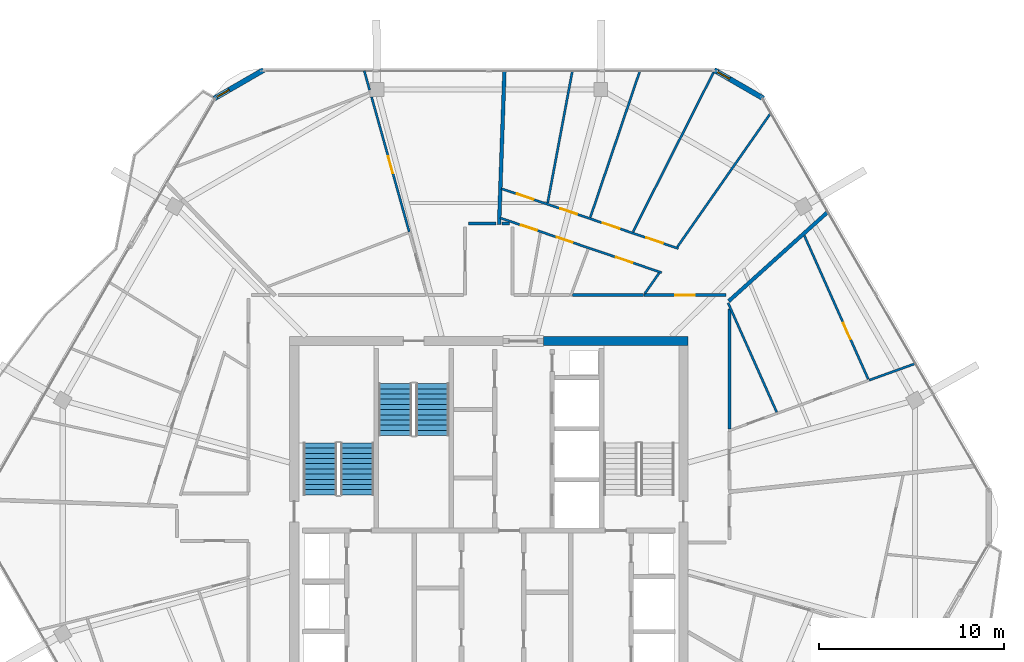
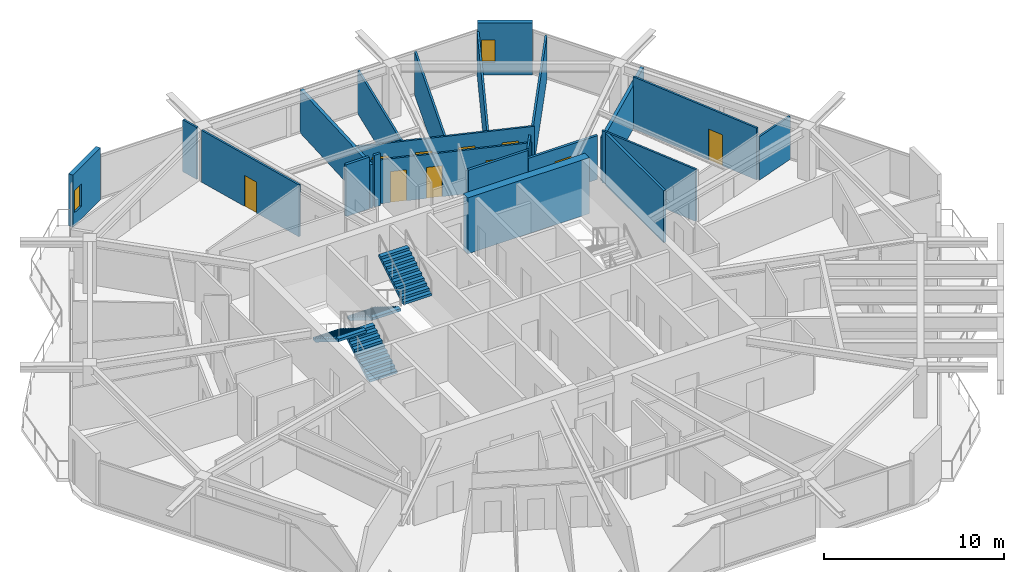
# One storey, part 19 of 23: 22 walls, 10 doors, 4 stair flights, 2 windows, 12 openings, 2 elements without a shape of their own.
"""IFC4 building model written with IfcOpenShell, lengths in metres."""

import ifcopenshell
import ifcopenshell.guid

model = None  # the IFC model being written
_history = None  # IfcOwnerHistory: only IFC2X3 demands one
_inside = {}  # id of a spatial element -> (the spatial element, [elements in it])
_under = {}  # id of a project, library or spatial element -> (it, [spatial elements below it])
_declared = {}  # id of a project -> (the project, [libraries it declares])
_typed = {}  # id of a type object -> (the type object, [elements of that type])
_made_of = {}  # id of a material, layer set ... -> (it, [elements and type objects made of it])


def new_model(schema):
    """Start an empty IFC model of exactly this schema.

    Asked for "IFC4X3", IfcOpenShell would pick the latest addendum, in which some entities
    have other attributes; the version numbers below select the first issue.
    IFC2X3 requires an IfcOwnerHistory on every rooted entity: one is made here for all.
    """
    global model, _history
    if schema == "IFC4X3":
        model = ifcopenshell.file(schema_version=(4, 3, 0, 0))
    else:
        model = ifcopenshell.file(schema=schema)
    _inside.clear()
    _under.clear()
    _declared.clear()
    _typed.clear()
    _made_of.clear()
    _history = None
    if model.schema == "IFC2X3":
        org = make("IfcOrganization", Name="unknown")
        user = make(
            "IfcPersonAndOrganization",
            ThePerson=make("IfcPerson", FamilyName="unknown"),
            TheOrganization=org,
        )
        app = make(
            "IfcApplication",
            ApplicationDeveloper=org,
            Version="unknown",
            ApplicationFullName="unknown",
            ApplicationIdentifier="unknown",
        )
        _history = make(
            "IfcOwnerHistory",
            OwningUser=user,
            OwningApplication=app,
            ChangeAction="ADDED",
            CreationDate=0,
        )
    return model


def make(cls, **values):
    """One entity of the class cls with the attributes given. An attribute that is None is left unset."""
    return model.create_entity(
        cls, **{name: value for name, value in values.items() if value is not None}
    )


def rooted(cls, **values):
    """An entity with a GlobalId (a new one), such as an element, a storey or a relation."""
    return make(cls, GlobalId=ifcopenshell.guid.new(), OwnerHistory=_history, **values)


def si_unit(unit_type, name, prefix=None):
    """IfcSIUnit, for example si_unit("LENGTHUNIT", "METRE", prefix="MILLI")."""
    return make("IfcSIUnit", UnitType=unit_type, Prefix=prefix, Name=name)


def assignment(units):
    """IfcUnitAssignment: the units of a project."""
    return None if units is None else make("IfcUnitAssignment", Units=units)


def point(xyz):
    """IfcCartesianPoint."""
    return None if xyz is None else make("IfcCartesianPoint", Coordinates=xyz)


def direction(xyz):
    """IfcDirection."""
    return None if xyz is None else make("IfcDirection", DirectionRatios=xyz)


def frame(location, z_axis=None, x_axis=None):
    """IfcAxis2Placement3D, a coordinate frame: its origin and axes. An axis left out is left unset."""
    return make(
        "IfcAxis2Placement3D",
        Location=point(location),
        Axis=direction(z_axis),
        RefDirection=direction(x_axis),
    )


def frame_2d(location, x_axis=None):
    """IfcAxis2Placement2D, a coordinate frame in the plane: its origin and x axis."""
    return make(
        "IfcAxis2Placement2D", Location=point(location), RefDirection=direction(x_axis)
    )


def origin():
    """The frame at (0, 0, 0) with its axes left unset."""
    return frame((0.0, 0.0, 0.0))


def place(relative_to, where):
    """IfcLocalPlacement: puts the frame where relative to a parent placement (None: the world)."""
    return make(
        "IfcLocalPlacement", PlacementRelTo=relative_to, RelativePlacement=where
    )


def context(
    kind, dimensions, precision=None, world=None, true_north=None, identifier=None
):
    """IfcGeometricRepresentationContext, for example the 3D "Model" context."""
    return make(
        "IfcGeometricRepresentationContext",
        ContextIdentifier=identifier,
        ContextType=kind,
        CoordinateSpaceDimension=dimensions,
        Precision=precision,
        WorldCoordinateSystem=world,
        TrueNorth=true_north,
    )


def subcontext(parent, identifier, kind, view, scale=None):
    """IfcGeometricRepresentationSubContext, for example "Body" below "Model"."""
    return make(
        "IfcGeometricRepresentationSubContext",
        ContextIdentifier=identifier,
        ContextType=kind,
        ParentContext=parent,
        TargetScale=scale,
        TargetView=view,
    )


def project(units=None, contexts=None):
    """IfcProject with its units and contexts."""
    return rooted(
        "IfcProject",
        Name="project",
        RepresentationContexts=contexts,
        UnitsInContext=assignment(units),
    )


def spatial(cls, under=None, at=None, **own):
    """A site, building, storey or space (cls), placed at a placement, below another one or the project."""
    s = rooted(cls, ObjectPlacement=at, **own)
    if under is not None:
        _under.setdefault(under.id(), (under, []))[1].append(s)
    return s


def polyline(points):
    """IfcPolyline through the points."""
    return make("IfcPolyline", Points=[point(p) for p in points])


def profile(cls, at=None, kind="AREA", **sizes):
    """A parametric profile (cls). Its sizes go by their IFC names, for example OverallWidth=200.0."""
    return make(cls, ProfileType=kind, Position=at, **sizes)


def rectangle(**sizes):
    """IfcRectangleProfileDef."""
    return profile("IfcRectangleProfileDef", **sizes)


def outline(outer, holes=None, kind="AREA"):
    """IfcArbitraryClosedProfileDef: a profile drawn as a closed curve; with holes, ...WithVoids."""
    if holes is None:
        return make("IfcArbitraryClosedProfileDef", ProfileType=kind, OuterCurve=outer)
    return make(
        "IfcArbitraryProfileDefWithVoids",
        ProfileType=kind,
        OuterCurve=outer,
        InnerCurves=holes,
    )


def extrude(swept, where, along, depth):
    """IfcExtrudedAreaSolid: the profile swept, set in the frame where, extruded along a direction by depth."""
    return make(
        "IfcExtrudedAreaSolid",
        SweptArea=swept,
        Position=where,
        ExtrudedDirection=direction(along),
        Depth=depth,
    )


def shape(context_of_items, identifier, shape_type, items):
    """IfcShapeRepresentation: the items that make up one representation, for example the "Body"."""
    return make(
        "IfcShapeRepresentation",
        ContextOfItems=context_of_items,
        RepresentationIdentifier=identifier,
        RepresentationType=shape_type,
        Items=items,
    )


def material(Name=None, Category=None):
    """IfcMaterial."""
    return make("IfcMaterial", Name=Name, Category=Category)


def layer(
    of_material, thickness, ventilated=None, Name=None, Category=None, Priority=None
):
    """IfcMaterialLayer: one layer of a wall or slab, of a material (None: an air gap)."""
    return make(
        "IfcMaterialLayer",
        Material=of_material,
        LayerThickness=thickness,
        IsVentilated=ventilated,
        Name=Name,
        Category=Category,
        Priority=Priority,
    )


def layer_set(layers, Name=None):
    """IfcMaterialLayerSet."""
    return make("IfcMaterialLayerSet", MaterialLayers=layers, LayerSetName=Name)


def made_of(thing, what):
    """Note that an element or type object is made of a material, layer set ...; save() writes the relation."""
    if what is not None:
        _made_of.setdefault(what.id(), (what, []))[1].append(thing)
    return thing


def type_object(cls, material=None, **own):
    """A type object (cls), such as IfcWallType, which elements share."""
    return made_of(rooted(cls, **own), material)


def element(
    cls,
    number,
    at=None,
    inside=None,
    cuts=None,
    type_object=None,
    material=None,
    context=None,
    identifier="Body",
    shape_type=None,
    held_by="IfcProductDefinitionShape",
    body=None,
    shapes=None,
    **own,
):
    """One element of the class cls, such as IfcWall. Its Tag is "e" and its number.

    at: its placement. inside: the storey or other place that contains it. cuts: it is an
    opening in that element (IfcRelVoidsElement). A single representation is given by context,
    identifier, shape_type and body (its items); several are given by shapes. held_by: the class
    of the entity that holds the representations. save() writes the other relations.
    """
    e = rooted(cls, Tag="e%d" % number, ObjectPlacement=at, **own)
    if body is not None:
        shapes = [shape(context, identifier, shape_type, body)]
    if shapes is not None:
        e.Representation = make(held_by, Representations=shapes)
    if inside is not None:
        _inside.setdefault(inside.id(), (inside, []))[1].append(e)
    if cuts is not None:
        rooted(
            "IfcRelVoidsElement", RelatingBuildingElement=cuts, RelatedOpeningElement=e
        )
    if type_object is not None:
        _typed.setdefault(type_object.id(), (type_object, []))[1].append(e)
    return made_of(e, material)


def fill(opening, filler):
    """IfcRelFillsElement: the door or window that sits in an opening."""
    return rooted(
        "IfcRelFillsElement",
        RelatingOpeningElement=opening,
        RelatedBuildingElement=filler,
    )


def aggregate(whole, parts):
    """IfcRelAggregates: a whole, such as a stair, and the parts it consists of."""
    return rooted("IfcRelAggregates", RelatingObject=whole, RelatedObjects=parts)


def save(model, path):
    """Write the relations noted so far, then the file.

    IfcRelAggregates (storeys below a building ...), IfcRelContainedInSpatialStructure (elements
    in a storey), IfcRelDefinesByType, IfcRelAssociatesMaterial and IfcRelDeclares: one each for
    every whole, place, type object, material and project.
    """
    for whole, parts in _under.values():
        aggregate(whole, parts)
    for where, things in _inside.values():
        rooted(
            "IfcRelContainedInSpatialStructure",
            RelatedElements=things,
            RelatingStructure=where,
        )
    for kind, things in _typed.values():
        rooted("IfcRelDefinesByType", RelatedObjects=things, RelatingType=kind)
    for what, things in _made_of.values():
        rooted("IfcRelAssociatesMaterial", RelatedObjects=things, RelatingMaterial=what)
    for by, libraries in _declared.values():
        rooted("IfcRelDeclares", RelatingContext=by, RelatedDefinitions=libraries)
    model.write(path)


model = new_model("IFC4")

# Units and contexts
model_context = context("Model", 3, precision=1e-05, world=origin(), true_north=direction((0.0, 1.0)))
body_context = subcontext(model_context, "Body", "Model", "MODEL_VIEW")
ifc_project = project(units=[si_unit("LENGTHUNIT", "METRE"), si_unit("AREAUNIT", "SQUARE_METRE"), si_unit("VOLUMEUNIT", "CUBIC_METRE"), si_unit("PLANEANGLEUNIT", "RADIAN"), si_unit("MASSUNIT", "GRAM", prefix="KILO")], contexts=[model_context])

# Site, building, storey
site_placement = place(None, origin())
site = spatial("IfcSite", under=ifc_project, at=site_placement, CompositionType="ELEMENT")
building_placement = place(site_placement, origin())
building = spatial("IfcBuilding", under=site, at=building_placement, Name="Zuhravey Tower", CompositionType="ELEMENT")
storey_placement = place(building_placement, frame((0.0, 0.0, 350.0)))
storey = spatial("IfcBuildingStorey", under=building, at=storey_placement, Name="L89", CompositionType="ELEMENT", Elevation=350.0)

# Wall
ifc_material_1 = material(Name="Concrete C50/60", Category="concrete")
ifc_layer_1 = layer(ifc_material_1, 0.5)
ifc_layer_set_1 = layer_set([ifc_layer_1], Name="Concrete C50/60")
wall_type_1 = type_object("IfcWallType", Name="Core Shear Wall 500", PredefinedType="SHEAR", material=ifc_layer_set_1)
wall_1_placement = place(storey_placement, frame((46.75, 41.5, 0.0), z_axis=(0.0, 0.0, 1.0), x_axis=(-1.0, 0.0, 0.0)))
element("IfcWall", 1, at=wall_1_placement, inside=storey, type_object=wall_type_1, Name="L89 North-East Core Shear Wall CW50", PredefinedType="SHEAR", context=body_context, shape_type="SweptSolid", body=[
    extrude(rectangle(XDim=7.800048828125, YDim=0.5, at=frame_2d((3.89990234375, 0.0))), origin(), (0.0, 0.0, 1.0), 3.800048828125),
])

# Wall, opening, door
ifc_material_2 = material(Name="Gypsum fire-rated stud partition")
ifc_layer_2 = layer(ifc_material_2, 0.159912109375)
ifc_layer_set_2 = layer_set([ifc_layer_2], Name="Gypsum fire-rated stud partition")
wall_type_2 = type_object("IfcWallType", Name="Corridor Fire Partition 160", PredefinedType="PARTITIONING", material=ifc_layer_set_2)
wall_2_placement = place(storey_placement, frame((48.79931640625, 43.97998046875, 0.0), z_axis=(0.0, 0.0, 1.0), x_axis=(-1.0, 0.0, 0.0)))
wall_2 = element("IfcWall", 2, at=wall_2_placement, inside=storey, type_object=wall_type_2, Name="L89 IW16 Partition 022", PredefinedType="PARTITIONING", context=body_context, shape_type="SweptSolid", body=[
    extrude(rectangle(XDim=4.417724609375, YDim=0.159912109375, at=frame_2d((2.208984375, 0.0))), origin(), (0.0, 0.0, 1.0), 2.969970703125),
])
opening_1_placement = place(wall_2_placement, frame((1.683837890625, 0.0, 0.0)))
opening_1 = element("IfcOpeningElement", 3, at=opening_1_placement, cuts=wall_2, Name="Opening APD1", PredefinedType="OPENING", context=body_context, shape_type="SweptSolid", body=[
    extrude(rectangle(XDim=1.050048828125, YDim=2.14990234375, at=frame_2d((0.52490234375, 1.074951171875))), frame((0.0, 0.092041015625, 0.0), z_axis=(0.0, -1.0, 0.0), x_axis=(1.0, 0.0, 0.0)), (0.0, 0.0, 1.0), 0.183837890625),
])
ifc_material_3 = material(Name="Solid-core oak fire-rated leaf")
door_type_1 = type_object("IfcDoorType", Name="Apartment Entrance Fire Door 1050x2150", OperationType="NOTDEFINED", PredefinedType="DOOR", material=ifc_material_3)
door_1_placement = place(opening_1_placement, frame((1.050048828125, 0.0, 0.0), z_axis=(0.0, 0.0, 1.0), x_axis=(-1.0, 0.0, 0.0)))
door_1 = element("IfcDoor", 4, at=door_1_placement, inside=storey, type_object=door_type_1, Name="L89 Door 022.1", OperationType="SINGLE_SWING_RIGHT", OverallHeight=2.14990234375, OverallWidth=1.050048828125, PredefinedType="DOOR", context=body_context, shape_type="SweptSolid", body=[
    extrude(rectangle(XDim=1.050048828125, YDim=2.14990234375, at=frame_2d((0.52490234375, 1.074951171875))), frame((0.0, 0.02490234375, 0.0), z_axis=(0.0, -1.0, 0.0), x_axis=(1.0, 0.0, 0.0)), (0.0, 0.0, 1.0), 0.050048828125),
])
fill(opening_1, door_1)

# Walls
wall_3_placement = place(storey_placement, frame((44.3330078125, 43.97998046875, 0.0), z_axis=(0.0, 0.0, 1.0), x_axis=(-1.0, 0.0, 0.0)))
element("IfcWall", 5, at=wall_3_placement, inside=storey, type_object=wall_type_2, Name="L89 IW16 Partition 101", PredefinedType="PARTITIONING", context=body_context, shape_type="SweptSolid", body=[
    extrude(rectangle(XDim=3.82421875, YDim=0.159912109375, at=frame_2d((1.912109375, 0.0))), origin(), (0.0, 0.0, 1.0), 3.52001953125),
])
wall_4_placement = place(storey_placement, frame((37.10009765625, 47.830078125, 0.0), z_axis=(0.0, 0.0, 1.0), x_axis=(-1.0, 0.0, 0.0)))
element("IfcWall", 6, at=wall_4_placement, inside=storey, type_object=wall_type_2, Name="L89 IW16 Partition 105", PredefinedType="PARTITIONING", context=body_context, shape_type="SweptSolid", body=[
    extrude(rectangle(XDim=0.388916015625, YDim=0.159912109375, at=frame_2d((0.1943359375, 0.0))), origin(), (0.0, 0.0, 1.0), 3.52001953125),
])
wall_5_placement = place(storey_placement, frame((36.39453125, 47.830078125, 0.0), z_axis=(0.0, 0.0, 1.0), x_axis=(-1.0, 0.0, 0.0)))
element("IfcWall", 7, at=wall_5_placement, inside=storey, type_object=wall_type_2, Name="L89 IW16 Partition 107", PredefinedType="PARTITIONING", context=body_context, shape_type="SweptSolid", body=[
    extrude(rectangle(XDim=1.49462890625, YDim=0.159912109375, at=frame_2d((0.747314453125, 0.0))), origin(), (0.0, 0.0, 1.0), 3.52001953125),
])
wall_6_placement = place(storey_placement, frame((48.97998046875, 36.745361328125, 0.0), z_axis=(0.0, 0.0, 1.0), x_axis=(0.0, 1.0, 0.0)))
element("IfcWall", 8, at=wall_6_placement, inside=storey, type_object=wall_type_2, Name="L89 IW16 Partition 126", PredefinedType="PARTITIONING", context=body_context, shape_type="SweptSolid", body=[
    extrude(rectangle(XDim=6.476806640625, YDim=0.159912109375, at=frame_2d((3.23828125, 0.0))), origin(), (0.0, 0.0, 1.0), 3.52001953125),
])

# Wall, opening, window
ifc_material_4 = material(Name="Precast concrete C40/50", Category="concrete")
ifc_layer_3 = layer(ifc_material_4, 0.280029296875)
ifc_layer_set_3 = layer_set([ifc_layer_3], Name="Precast concrete C40/50")
wall_type_3 = type_object("IfcWallType", Name="Crown Architectural Wall 280", PredefinedType="SOLIDWALL", material=ifc_layer_set_3)
wall_7_placement = place(storey_placement, frame((21.188720703125, 54.589111328125, 0.0), z_axis=(0.0, 0.0, 1.0), x_axis=(0.866023752521, 0.50000286006, 0.0)))
wall_7 = element("IfcWall", 9, at=wall_7_placement, inside=storey, type_object=wall_type_3, Name="L89 Rounded Corner Closure Wall EW28-08", PredefinedType="SOLIDWALL", context=body_context, shape_type="SweptSolid", body=[
    extrude(rectangle(XDim=3.06494140625, YDim=0.280029296875, at=frame_2d((1.532470703125, 0.0))), origin(), (0.0, 0.0, 1.0), 3.52001953125),
])
opening_2_placement = place(wall_7_placement, frame((0.1728515625, 0.0, 0.85009765625)))
opening_2 = element("IfcOpeningElement", 10, at=opening_2_placement, cuts=wall_7, Name="Opening WN5", PredefinedType="OPENING", context=body_context, shape_type="SweptSolid", body=[
    extrude(rectangle(XDim=0.75, YDim=1.5, at=frame_2d((0.375, 0.75))), frame((0.0, 0.152099609375, 0.0), z_axis=(0.0, -1.0, 0.0), x_axis=(1.0, 0.0, 0.0)), (0.0, 0.0, 1.0), 0.303955078125),
])
ifc_material_5 = material(Name="Thermally broken aluminium and triple low-E glass", Category="aluminium")
window_type = type_object("IfcWindowType", Name="Residential Corner Casement Window 750x1500", PartitioningType="SINGLE_PANEL", PredefinedType="WINDOW", material=ifc_material_5)
window_1_placement = place(opening_2_placement, origin())
window_1 = element("IfcWindow", 11, at=window_1_placement, inside=storey, type_object=window_type, Name="L89 Corner Casement Window WN5-08.1", OverallHeight=1.5, OverallWidth=0.75, PartitioningType="SINGLE_PANEL", PredefinedType="WINDOW", context=body_context, shape_type="SweptSolid", body=[
    extrude(rectangle(XDim=0.75, YDim=1.5, at=frame_2d((0.375, 0.75))), frame((0.0, 0.030029296875, 0.0), z_axis=(0.0, -1.0, 0.0), x_axis=(1.0, 0.0, 0.0)), (0.0, 0.0, 1.0), 0.06005859375),
])
fill(opening_2, window_1)

wall_8_placement = place(storey_placement, frame((48.156982421875, 56.12158203125, 0.0), z_axis=(0.0, 0.0, 1.0), x_axis=(0.866023752521, -0.50000286006, 0.0)))
wall_8 = element("IfcWall", 12, at=wall_8_placement, inside=storey, type_object=wall_type_3, Name="L89 Rounded Corner Closure Wall EW28-10", PredefinedType="SOLIDWALL", context=body_context, shape_type="SweptSolid", body=[
    extrude(rectangle(XDim=3.06494140625, YDim=0.280029296875, at=frame_2d((1.532470703125, 0.0))), origin(), (0.0, 0.0, 1.0), 3.52001953125),
])
opening_3_placement = place(wall_8_placement, frame((0.215576171875, 0.0, 0.85009765625)))
opening_3 = element("IfcOpeningElement", 13, at=opening_3_placement, cuts=wall_8, Name="Opening WN5", PredefinedType="OPENING", context=body_context, shape_type="SweptSolid", body=[
    extrude(rectangle(XDim=0.75, YDim=1.5, at=frame_2d((0.375, 0.75))), frame((0.0, 0.152099609375, 0.0), z_axis=(0.0, -1.0, 0.0), x_axis=(1.0, 0.0, 0.0)), (0.0, 0.0, 1.0), 0.303955078125),
])
window_2_placement = place(opening_3_placement, origin())
window_2 = element("IfcWindow", 14, at=window_2_placement, inside=storey, type_object=window_type, Name="L89 Corner Casement Window WN5-10.1", OverallHeight=1.5, OverallWidth=0.75, PartitioningType="SINGLE_PANEL", PredefinedType="WINDOW", context=body_context, shape_type="SweptSolid", body=[
    extrude(rectangle(XDim=0.75, YDim=1.5, at=frame_2d((0.375, 0.75))), frame((0.0, 0.030029296875, 0.0), z_axis=(0.0, -1.0, 0.0), x_axis=(1.0, 0.0, 0.0)), (0.0, 0.0, 1.0), 0.06005859375),
])
fill(opening_3, window_2)

# Walls
ifc_material_6 = material(Name="Gypsum double-stud party assembly")
ifc_layer_4 = layer(ifc_material_6, 0.199951171875)
ifc_layer_set_4 = layer_set([ifc_layer_4], Name="Gypsum double-stud party assembly")
wall_type_4 = type_object("IfcWallType", Name="Inter-Tenancy Party Wall 200", PredefinedType="PARTITIONING", material=ifc_layer_set_4)
wall_9_placement = place(storey_placement, frame((48.93994140625, 43.651123046875, 0.0), z_axis=(0.0, 0.0, 1.0), x_axis=(0.74315080538, 0.669123964944, 0.0)))
element("IfcWall", 15, at=wall_9_placement, inside=storey, type_object=wall_type_4, Name="L89 IW20 Partition 057", PredefinedType="PARTITIONING", context=body_context, shape_type="SweptSolid", body=[
    extrude(rectangle(XDim=7.199462890625, YDim=0.199951171875, at=frame_2d((3.599609375, 0.0))), origin(), (0.0, 0.0, 1.0), 2.93994140625),
])
wall_10_placement = place(storey_placement, frame((36.551513671875, 47.7900390625, 0.0), z_axis=(0.0, 0.0, 1.0), x_axis=(0.034901510276, 0.999390756702, 0.0)))
element("IfcWall", 16, at=wall_10_placement, inside=storey, type_object=wall_type_4, Name="L89 IW20 Partition 065", PredefinedType="PARTITIONING", context=body_context, shape_type="SweptSolid", body=[
    extrude(rectangle(XDim=8.289306640625, YDim=0.199951171875, at=frame_2d((4.14453125, 0.0))), origin(), (0.0, 0.0, 1.0), 2.93994140625),
])

# Wall, openings, doors
ifc_material_7 = material(Name="Gypsum metal-stud partition")
ifc_layer_5 = layer(ifc_material_7, 0.1201171875)
ifc_layer_set_5 = layer_set([ifc_layer_5], Name="Gypsum metal-stud partition")
wall_type_5 = type_object("IfcWallType", Name="Unit Internal Partition 120", PredefinedType="PARTITIONING", material=ifc_layer_set_5)
wall_11_placement = place(storey_placement, frame((45.3232421875, 45.189697265625, 0.0), z_axis=(0.0, 0.0, 1.0), x_axis=(-0.947209030083, 0.320616676625, 0.0)))
wall_11 = element("IfcWall", 17, at=wall_11_placement, inside=storey, type_object=wall_type_5, Name="L89 IW12 Partition 020", PredefinedType="PARTITIONING", context=body_context, shape_type="SweptSolid", body=[
    extrude(rectangle(XDim=9.20458984375, YDim=0.1201171875, at=frame_2d((4.602294921875, 0.0))), origin(), (0.0, 0.0, 1.0), 2.969970703125),
])
opening_4_placement = place(wall_11_placement, frame((1.6591796875, 0.0, 0.0)))
opening_4 = element("IfcOpeningElement", 18, at=opening_4_placement, cuts=wall_11, Name="Opening IND1", PredefinedType="OPENING", context=body_context, shape_type="SweptSolid", body=[
    extrude(rectangle(XDim=0.949951171875, YDim=2.10009765625, at=frame_2d((0.47509765625, 1.050048828125))), frame((0.0, 0.072021484375, 0.0), z_axis=(0.0, -1.0, 0.0), x_axis=(1.0, 0.0, 0.0)), (0.0, 0.0, 1.0), 0.14404296875),
])
opening_5_placement = place(wall_11_placement, frame((5.07958984375, 0.0, 0.0)))
opening_5 = element("IfcOpeningElement", 19, at=opening_5_placement, cuts=wall_11, Name="Opening WCD1", PredefinedType="OPENING", context=body_context, shape_type="SweptSolid", body=[
    extrude(rectangle(XDim=0.89990234375, YDim=2.10009765625, at=frame_2d((0.449951171875, 1.050048828125))), frame((0.0, 0.072021484375, 0.0), z_axis=(0.0, -1.0, 0.0), x_axis=(1.0, 0.0, 0.0)), (0.0, 0.0, 1.0), 0.14404296875),
])
opening_6_placement = place(wall_11_placement, frame((7.107177734375, 0.0, 0.0)))
opening_6 = element("IfcOpeningElement", 20, at=opening_6_placement, cuts=wall_11, Name="Opening WCD1", PredefinedType="OPENING", context=body_context, shape_type="SweptSolid", body=[
    extrude(rectangle(XDim=0.89990234375, YDim=2.10009765625, at=frame_2d((0.449951171875, 1.050048828125))), frame((0.0, 0.072021484375, 0.0), z_axis=(0.0, -1.0, 0.0), x_axis=(1.0, 0.0, 0.0)), (0.0, 0.0, 1.0), 0.14404296875),
])
ifc_material_8 = material(Name="Moisture-resistant timber leaf", Category="wood")
door_type_2 = type_object("IfcDoorType", Name="Bathroom & WC Internal Door 900x2100", OperationType="NOTDEFINED", PredefinedType="DOOR", material=ifc_material_8)
door_2_placement = place(opening_5_placement, origin())
door_2 = element("IfcDoor", 21, at=door_2_placement, inside=storey, type_object=door_type_2, Name="Apartment L89-01 Bathroom 1 Door", OperationType="SINGLE_SWING_RIGHT", OverallHeight=2.10009765625, OverallWidth=0.89990234375, PredefinedType="DOOR", context=body_context, shape_type="SweptSolid", body=[
    extrude(rectangle(XDim=0.89990234375, YDim=2.10009765625, at=frame_2d((0.449951171875, 1.050048828125))), frame((0.0, 0.02490234375, 0.0), z_axis=(0.0, -1.0, 0.0), x_axis=(1.0, 0.0, 0.0)), (0.0, 0.0, 1.0), 0.050048828125),
])
fill(opening_5, door_2)
door_3_placement = place(opening_6_placement, origin())
door_3 = element("IfcDoor", 22, at=door_3_placement, inside=storey, type_object=door_type_2, Name="Apartment L89-01 Bathroom 2 Door", OperationType="SINGLE_SWING_LEFT", OverallHeight=2.10009765625, OverallWidth=0.89990234375, PredefinedType="DOOR", context=body_context, shape_type="SweptSolid", body=[
    extrude(rectangle(XDim=0.89990234375, YDim=2.10009765625, at=frame_2d((0.449951171875, 1.050048828125))), frame((0.0, 0.02490234375, 0.0), z_axis=(0.0, -1.0, 0.0), x_axis=(1.0, 0.0, 0.0)), (0.0, 0.0, 1.0), 0.050048828125),
])
fill(opening_6, door_3)
ifc_material_9 = material(Name="Painted engineered timber leaf", Category="wood")
door_type_3 = type_object("IfcDoorType", Name="Internal Room & Bedroom Door 950x2100", OperationType="NOTDEFINED", PredefinedType="DOOR", material=ifc_material_9)
door_4_placement = place(opening_4_placement, origin())
door_4 = element("IfcDoor", 23, at=door_4_placement, inside=storey, type_object=door_type_3, Name="Apartment L89-01 Kitchen Door", OperationType="SINGLE_SWING_LEFT", OverallHeight=2.10009765625, OverallWidth=0.949951171875, PredefinedType="DOOR", context=body_context, shape_type="SweptSolid", body=[
    extrude(rectangle(XDim=0.949951171875, YDim=2.10009765625, at=frame_2d((0.47509765625, 1.050048828125))), frame((0.0, 0.02490234375, 0.0), z_axis=(0.0, -1.0, 0.0), x_axis=(1.0, 0.0, 0.0)), (0.0, 0.0, 1.0), 0.050048828125),
])
fill(opening_4, door_4)

wall_12_placement = place(storey_placement, frame((46.228759765625, 46.48779296875, 0.0), z_axis=(0.0, 0.0, 1.0), x_axis=(-0.947206471438, 0.320624235618, 0.0)))
wall_12 = element("IfcWall", 24, at=wall_12_placement, inside=storey, type_object=wall_type_5, Name="L89 IW12 Partition 021", PredefinedType="PARTITIONING", context=body_context, shape_type="SweptSolid", body=[
    extrude(rectangle(XDim=10.087646484375, YDim=0.1201171875, at=frame_2d((5.0439453125, 0.0))), origin(), (0.0, 0.0, 1.0), 2.969970703125),
])
opening_7_placement = place(wall_12_placement, frame((0.886962890625, 0.0, 0.0)))
opening_7 = element("IfcOpeningElement", 25, at=opening_7_placement, cuts=wall_12, Name="Opening IND1", PredefinedType="OPENING", context=body_context, shape_type="SweptSolid", body=[
    extrude(rectangle(XDim=0.949951171875, YDim=2.10009765625, at=frame_2d((0.47509765625, 1.050048828125))), frame((0.0, 0.072021484375, 0.0), z_axis=(0.0, -1.0, 0.0), x_axis=(1.0, 0.0, 0.0)), (0.0, 0.0, 1.0), 0.14404296875),
])
opening_8_placement = place(wall_12_placement, frame((3.3583984375, 0.0, 0.0)))
opening_8 = element("IfcOpeningElement", 26, at=opening_8_placement, cuts=wall_12, Name="Opening IND1", PredefinedType="OPENING", context=body_context, shape_type="SweptSolid", body=[
    extrude(rectangle(XDim=0.949951171875, YDim=2.10009765625, at=frame_2d((0.47509765625, 1.050048828125))), frame((0.0, 0.072021484375, 0.0), z_axis=(0.0, -1.0, 0.0), x_axis=(1.0, 0.0, 0.0)), (0.0, 0.0, 1.0), 0.14404296875),
])
opening_9_placement = place(wall_12_placement, frame((5.779296875, 0.0, 0.0)))
opening_9 = element("IfcOpeningElement", 27, at=opening_9_placement, cuts=wall_12, Name="Opening IND1", PredefinedType="OPENING", context=body_context, shape_type="SweptSolid", body=[
    extrude(rectangle(XDim=0.949951171875, YDim=2.10009765625, at=frame_2d((0.47509765625, 1.050048828125))), frame((0.0, 0.072021484375, 0.0), z_axis=(0.0, -1.0, 0.0), x_axis=(1.0, 0.0, 0.0)), (0.0, 0.0, 1.0), 0.14404296875),
])
opening_10_placement = place(wall_12_placement, frame((8.250732421875, 0.0, 0.0)))
opening_10 = element("IfcOpeningElement", 28, at=opening_10_placement, cuts=wall_12, Name="Opening IND1", PredefinedType="OPENING", context=body_context, shape_type="SweptSolid", body=[
    extrude(rectangle(XDim=0.949951171875, YDim=2.10009765625, at=frame_2d((0.47509765625, 1.050048828125))), frame((0.0, 0.072021484375, 0.0), z_axis=(0.0, -1.0, 0.0), x_axis=(1.0, 0.0, 0.0)), (0.0, 0.0, 1.0), 0.14404296875),
])
door_5_placement = place(opening_7_placement, frame((0.949951171875, 0.0, 0.0), z_axis=(0.0, 0.0, 1.0), x_axis=(-1.0, 0.0, 0.0)))
door_5 = element("IfcDoor", 29, at=door_5_placement, inside=storey, type_object=door_type_3, Name="Apartment L89-01 Bedroom 1 Door", OperationType="SINGLE_SWING_RIGHT", OverallHeight=2.10009765625, OverallWidth=0.949951171875, PredefinedType="DOOR", context=body_context, shape_type="SweptSolid", body=[
    extrude(rectangle(XDim=0.949951171875, YDim=2.10009765625, at=frame_2d((0.47509765625, 1.050048828125))), frame((0.0, 0.02490234375, 0.0), z_axis=(0.0, -1.0, 0.0), x_axis=(1.0, 0.0, 0.0)), (0.0, 0.0, 1.0), 0.050048828125),
])
fill(opening_7, door_5)
door_6_placement = place(opening_8_placement, frame((0.949951171875, 0.0, 0.0), z_axis=(0.0, 0.0, 1.0), x_axis=(-1.0, 0.0, 0.0)))
door_6 = element("IfcDoor", 30, at=door_6_placement, inside=storey, type_object=door_type_3, Name="Apartment L89-01 Bedroom 2 Door", OperationType="SINGLE_SWING_LEFT", OverallHeight=2.10009765625, OverallWidth=0.949951171875, PredefinedType="DOOR", context=body_context, shape_type="SweptSolid", body=[
    extrude(rectangle(XDim=0.949951171875, YDim=2.10009765625, at=frame_2d((0.47509765625, 1.050048828125))), frame((0.0, 0.02490234375, 0.0), z_axis=(0.0, -1.0, 0.0), x_axis=(1.0, 0.0, 0.0)), (0.0, 0.0, 1.0), 0.050048828125),
])
fill(opening_8, door_6)
door_7_placement = place(opening_9_placement, frame((0.949951171875, 0.0, 0.0), z_axis=(0.0, 0.0, 1.0), x_axis=(-1.0, 0.0, 0.0)))
door_7 = element("IfcDoor", 31, at=door_7_placement, inside=storey, type_object=door_type_3, Name="Apartment L89-01 Bedroom 3 Door", OperationType="SINGLE_SWING_RIGHT", OverallHeight=2.10009765625, OverallWidth=0.949951171875, PredefinedType="DOOR", context=body_context, shape_type="SweptSolid", body=[
    extrude(rectangle(XDim=0.949951171875, YDim=2.10009765625, at=frame_2d((0.47509765625, 1.050048828125))), frame((0.0, 0.02490234375, 0.0), z_axis=(0.0, -1.0, 0.0), x_axis=(1.0, 0.0, 0.0)), (0.0, 0.0, 1.0), 0.050048828125),
])
fill(opening_9, door_7)
door_8_placement = place(opening_10_placement, frame((0.949951171875, 0.0, 0.0), z_axis=(0.0, 0.0, 1.0), x_axis=(-1.0, 0.0, 0.0)))
door_8 = element("IfcDoor", 32, at=door_8_placement, inside=storey, type_object=door_type_3, Name="Apartment L89-01 Bedroom 4 Door", OperationType="SINGLE_SWING_LEFT", OverallHeight=2.10009765625, OverallWidth=0.949951171875, PredefinedType="DOOR", context=body_context, shape_type="SweptSolid", body=[
    extrude(rectangle(XDim=0.949951171875, YDim=2.10009765625, at=frame_2d((0.47509765625, 1.050048828125))), frame((0.0, 0.02490234375, 0.0), z_axis=(0.0, -1.0, 0.0), x_axis=(1.0, 0.0, 0.0)), (0.0, 0.0, 1.0), 0.050048828125),
])
fill(opening_10, door_8)

# Wall, opening, door
wall_13_placement = place(storey_placement, frame((31.702392578125, 47.3916015625, 0.0), z_axis=(0.0, 0.0, 1.0), x_axis=(-0.268895171006, 0.963169448752, 0.0)))
wall_13 = element("IfcWall", 33, at=wall_13_placement, inside=storey, type_object=wall_type_5, Name="L89 IW12 Partition 024", PredefinedType="PARTITIONING", context=body_context, shape_type="SweptSolid", body=[
    extrude(rectangle(XDim=7.555908203125, YDim=0.1201171875, at=frame_2d((3.77783203125, 0.0))), origin(), (0.0, 0.0, 1.0), 3.52001953125),
])
opening_11_placement = place(wall_13_placement, frame((3.27783203125, 0.0, 0.0)))
opening_11 = element("IfcOpeningElement", 34, at=opening_11_placement, cuts=wall_13, Name="Opening IND1", PredefinedType="OPENING", context=body_context, shape_type="SweptSolid", body=[
    extrude(rectangle(XDim=0.949951171875, YDim=2.10009765625, at=frame_2d((0.47509765625, 1.050048828125))), frame((0.0, 0.072021484375, 0.0), z_axis=(0.0, -1.0, 0.0), x_axis=(1.0, 0.0, 0.0)), (0.0, 0.0, 1.0), 0.14404296875),
])
door_9_placement = place(opening_11_placement, origin())
door_9 = element("IfcDoor", 35, at=door_9_placement, inside=storey, type_object=door_type_3, Name="Apartment L89-02 Home Office Door", OperationType="SINGLE_SWING_RIGHT", OverallHeight=2.10009765625, OverallWidth=0.949951171875, PredefinedType="DOOR", context=body_context, shape_type="SweptSolid", body=[
    extrude(rectangle(XDim=0.949951171875, YDim=2.10009765625, at=frame_2d((0.47509765625, 1.050048828125))), frame((0.0, 0.02490234375, 0.0), z_axis=(0.0, -1.0, 0.0), x_axis=(1.0, 0.0, 0.0)), (0.0, 0.0, 1.0), 0.050048828125),
])
fill(opening_11, door_9)

wall_14_placement = place(storey_placement, frame((56.469482421875, 39.441650390625, 0.0), z_axis=(0.0, 0.0, 1.0), x_axis=(-0.406736554193, 0.913545497216, 0.0)))
wall_14 = element("IfcWall", 36, at=wall_14_placement, inside=storey, type_object=wall_type_5, Name="L89 IW12 Partition 049", PredefinedType="PARTITIONING", context=body_context, shape_type="SweptSolid", body=[
    extrude(rectangle(XDim=8.482666015625, YDim=0.1201171875, at=frame_2d((4.2412109375, 0.0))), origin(), (0.0, 0.0, 1.0), 3.52001953125),
])
opening_12_placement = place(wall_14_placement, frame((2.362060546875, 0.0, 0.0)))
opening_12 = element("IfcOpeningElement", 37, at=opening_12_placement, cuts=wall_14, Name="Opening IND1", PredefinedType="OPENING", context=body_context, shape_type="SweptSolid", body=[
    extrude(rectangle(XDim=0.949951171875, YDim=2.10009765625, at=frame_2d((0.47509765625, 1.050048828125))), frame((0.0, 0.072021484375, 0.0), z_axis=(0.0, -1.0, 0.0), x_axis=(1.0, 0.0, 0.0)), (0.0, 0.0, 1.0), 0.14404296875),
])
door_10_placement = place(opening_12_placement, frame((0.949951171875, 0.0, 0.0), z_axis=(0.0, 0.0, 1.0), x_axis=(-1.0, 0.0, 0.0)))
door_10 = element("IfcDoor", 38, at=door_10_placement, inside=storey, type_object=door_type_3, Name="Apartment L89-09 Bedroom 1 Door", OperationType="SINGLE_SWING_RIGHT", OverallHeight=2.10009765625, OverallWidth=0.949951171875, PredefinedType="DOOR", context=body_context, shape_type="SweptSolid", body=[
    extrude(rectangle(XDim=0.949951171875, YDim=2.10009765625, at=frame_2d((0.47509765625, 1.050048828125))), frame((0.0, 0.02490234375, 0.0), z_axis=(0.0, -1.0, 0.0), x_axis=(1.0, 0.0, 0.0)), (0.0, 0.0, 1.0), 0.050048828125),
])
fill(opening_12, door_10)

# Walls
wall_15_placement = place(storey_placement, frame((43.7744140625, 47.390380859375, 0.0), z_axis=(0.0, 0.0, 1.0), x_axis=(0.450869548037, 0.892589855787, 0.0)))
element("IfcWall", 39, at=wall_15_placement, inside=storey, type_object=wall_type_5, Name="L89 IW12 Partition 060", PredefinedType="PARTITIONING", context=body_context, shape_type="SweptSolid", body=[
    extrude(rectangle(XDim=9.73974609375, YDim=0.1201171875, at=frame_2d((4.869873046875, 0.0))), origin(), (0.0, 0.0, 1.0), 2.93994140625),
])
wall_16_placement = place(storey_placement, frame((41.472900390625, 48.16943359375, 0.0), z_axis=(0.0, 0.0, 1.0), x_axis=(0.32064215142, 0.947200406848, 0.0)))
element("IfcWall", 40, at=wall_16_placement, inside=storey, type_object=wall_type_5, Name="L89 IW12 Partition 061", PredefinedType="PARTITIONING", context=body_context, shape_type="SweptSolid", body=[
    extrude(rectangle(XDim=8.355712890625, YDim=0.1201171875, at=frame_2d((4.177734375, 0.0))), origin(), (0.0, 0.0, 1.0), 2.93994140625),
])
wall_17_placement = place(storey_placement, frame((39.171875, 48.948486328125, 0.0), z_axis=(0.0, 0.0, 1.0), x_axis=(0.183929112918, 0.982939510561, 0.0)))
element("IfcWall", 41, at=wall_17_placement, inside=storey, type_object=wall_type_5, Name="L89 IW12 Partition 062", PredefinedType="PARTITIONING", context=body_context, shape_type="SweptSolid", body=[
    extrude(rectangle(XDim=7.25927734375, YDim=0.1201171875, at=frame_2d((3.629638671875, 0.0))), origin(), (0.0, 0.0, 1.0), 2.93994140625),
])
wall_18_placement = place(storey_placement, frame((44.418701171875, 44.068115234375, 0.0), z_axis=(0.0, 0.0, 1.0), x_axis=(0.572224421866, 0.820097074144, 0.0)))
element("IfcWall", 42, at=wall_18_placement, inside=storey, type_object=wall_type_5, Name="L89 IW12 Partition 063", PredefinedType="PARTITIONING", context=body_context, shape_type="SweptSolid", body=[
    extrude(rectangle(XDim=1.337646484375, YDim=0.1201171875, at=frame_2d((0.6689453125, 0.0))), origin(), (0.0, 0.0, 1.0), 3.52001953125),
])
wall_19_placement = place(storey_placement, frame((46.170654296875, 46.579345703125, 0.0), z_axis=(0.0, 0.0, 1.0), x_axis=(0.572144356321, 0.820152934233, 0.0)))
element("IfcWall", 43, at=wall_19_placement, inside=storey, type_object=wall_type_5, Name="L89 IW12 Partition 064", PredefinedType="PARTITIONING", context=body_context, shape_type="SweptSolid", body=[
    extrude(rectangle(XDim=8.8193359375, YDim=0.1201171875, at=frame_2d((4.40966796875, 0.0))), origin(), (0.0, 0.0, 1.0), 2.93994140625),
])
wall_20_placement = place(storey_placement, frame((29.56640625, 55.04296875, 0.0), z_axis=(0.0, 0.0, 1.0), x_axis=(-0.268931170231, 0.963159397856, 0.0)))
element("IfcWall", 44, at=wall_20_placement, inside=storey, type_object=wall_type_5, Name="L89 IW12 Partition 067", PredefinedType="PARTITIONING", context=body_context, shape_type="SweptSolid", body=[
    extrude(rectangle(XDim=1.07568359375, YDim=0.1201171875, at=frame_2d((0.537841796875, 0.0))), origin(), (0.0, 0.0, 1.0), 3.52001953125),
])
wall_21_placement = place(storey_placement, frame((56.5205078125, 39.387939453125, 0.0), z_axis=(0.0, 0.0, 1.0), x_axis=(0.940883895468, 0.338729235894, 0.0)))
element("IfcWall", 45, at=wall_21_placement, inside=storey, type_object=wall_type_5, Name="L89 IW12 Partition 099", PredefinedType="PARTITIONING", context=body_context, shape_type="SweptSolid", body=[
    extrude(rectangle(XDim=2.6552734375, YDim=0.1201171875, at=frame_2d((1.32763671875, 0.0))), origin(), (0.0, 0.0, 1.0), 2.93994140625),
])
wall_22_placement = place(storey_placement, frame((51.529541015625, 37.6630859375, 0.0), z_axis=(0.0, 0.0, 1.0), x_axis=(-0.406732154443, 0.913547456097, 0.0)))
element("IfcWall", 46, at=wall_22_placement, inside=storey, type_object=wall_type_5, Name="L89 IW12 Partition 100", PredefinedType="PARTITIONING", context=body_context, shape_type="SweptSolid", body=[
    extrude(rectangle(XDim=6.447265625, YDim=0.1201171875, at=frame_2d((3.2236328125, 0.0))), origin(), (0.0, 0.0, 1.0), 3.52001953125),
])

# Stair, stair flights
ifc_material_10 = material(Name="Concrete C40/50", Category="concrete")
stair_type = type_object("IfcStairType", Name="Housing Storey Stair Assembly 3800", PredefinedType="HALF_TURN_STAIR", material=ifc_material_10)
stair_1_placement = place(storey_placement, origin())
stair_1 = element("IfcStair", 47, at=stair_1_placement, inside=storey, type_object=stair_type, Name="L89 Core Exit Stair ST1", PredefinedType="HALF_TURN_STAIR")
stair_flight_type = type_object("IfcStairFlightType", Name="Housing Storey Stair Flight 3800", PredefinedType="STRAIGHT", material=ifc_material_10)
stair_flight_1_placement = place(storey_placement, frame((28.89990234375, 33.199951171875, 0.0), z_axis=(0.0, 0.0, 1.0), x_axis=(0.0, 1.0, 0.0)))
stair_flight_1 = element("IfcStairFlight", 48, at=stair_flight_1_placement, type_object=stair_flight_type, Name="ST1 flight 1", NumberOfRisers=11, NumberOfTreads=10, PredefinedType="STRAIGHT", RiserHeight=0.172727273, TreadLength=0.28, context=body_context, shape_type="SweptSolid", body=[
    extrude(outline(polyline([(0.0, 0.0), (0.0, 0.172607421875), (0.280029296875, 0.172607421875), (0.280029296875, 0.345458984375), (0.56005859375, 0.345458984375), (0.56005859375, 0.51806640625), (0.840087890625, 0.51806640625), (0.840087890625, 0.69091796875), (1.1201171875, 0.69091796875), (1.1201171875, 0.863525390625), (1.39990234375, 0.863525390625), (1.39990234375, 1.036376953125), (1.679931640625, 1.036376953125), (1.679931640625, 1.208984375), (1.9599609375, 1.208984375), (1.9599609375, 1.3818359375), (2.239990234375, 1.3818359375), (2.239990234375, 1.554443359375), (2.52001953125, 1.554443359375), (2.52001953125, 1.727294921875), (2.800048828125, 1.727294921875), (2.800048828125, 1.89990234375), (2.800048828125, 1.551025390625), (0.285400390625, 0.0), (0.0, 0.0)])), frame((0.0, 0.89990234375, 0.0), z_axis=(0.0, -1.0, 0.0), x_axis=(1.0, 0.0, 0.0)), (0.0, 0.0, 1.0), 1.800048828125),
])
stair_flight_2_placement = place(storey_placement, frame((26.89990234375, 36.0, 1.89990234375), z_axis=(0.0, 0.0, 1.0), x_axis=(0.0, -1.0, 0.0)))
stair_flight_2 = element("IfcStairFlight", 49, at=stair_flight_2_placement, type_object=stair_flight_type, Name="ST1 flight 2", NumberOfRisers=11, NumberOfTreads=10, PredefinedType="STRAIGHT", RiserHeight=0.172727273, TreadLength=0.28, context=body_context, shape_type="SweptSolid", body=[
    extrude(outline(polyline([(0.0, 0.0), (0.0, 0.172607421875), (0.280029296875, 0.172607421875), (0.280029296875, 0.345458984375), (0.56005859375, 0.345458984375), (0.56005859375, 0.51806640625), (0.840087890625, 0.51806640625), (0.840087890625, 0.69091796875), (1.1201171875, 0.69091796875), (1.1201171875, 0.863525390625), (1.39990234375, 0.863525390625), (1.39990234375, 1.036376953125), (1.679931640625, 1.036376953125), (1.679931640625, 1.208984375), (1.9599609375, 1.208984375), (1.9599609375, 1.3818359375), (2.239990234375, 1.3818359375), (2.239990234375, 1.554443359375), (2.52001953125, 1.554443359375), (2.52001953125, 1.727294921875), (2.800048828125, 1.727294921875), (2.800048828125, 1.89990234375), (2.800048828125, 1.551025390625), (0.285400390625, 0.0), (0.0, 0.0)])), frame((0.0, 0.89990234375, 0.0), z_axis=(0.0, -1.0, 0.0), x_axis=(1.0, 0.0, 0.0)), (0.0, 0.0, 1.0), 1.800048828125),
])
aggregate(stair_1, [stair_flight_1, stair_flight_2])

stair_2_placement = place(storey_placement, origin())
stair_2 = element("IfcStair", 50, at=stair_2_placement, inside=storey, type_object=stair_type, Name="L89 Core Exit Stair ST3", PredefinedType="HALF_TURN_STAIR")
stair_flight_3_placement = place(storey_placement, frame((30.949951171875, 39.199951171875, 0.0), z_axis=(0.0, 0.0, 1.0), x_axis=(0.0, -1.0, 0.0)))
stair_flight_3 = element("IfcStairFlight", 51, at=stair_flight_3_placement, type_object=stair_flight_type, Name="ST3 flight 1", NumberOfRisers=11, NumberOfTreads=10, PredefinedType="STRAIGHT", RiserHeight=0.172727273, TreadLength=0.28, context=body_context, shape_type="SweptSolid", body=[
    extrude(outline(polyline([(0.0, 0.0), (0.0, 0.172607421875), (0.280029296875, 0.172607421875), (0.280029296875, 0.345458984375), (0.56005859375, 0.345458984375), (0.56005859375, 0.51806640625), (0.840087890625, 0.51806640625), (0.840087890625, 0.69091796875), (1.1201171875, 0.69091796875), (1.1201171875, 0.863525390625), (1.39990234375, 0.863525390625), (1.39990234375, 1.036376953125), (1.679931640625, 1.036376953125), (1.679931640625, 1.208984375), (1.9599609375, 1.208984375), (1.9599609375, 1.3818359375), (2.239990234375, 1.3818359375), (2.239990234375, 1.554443359375), (2.52001953125, 1.554443359375), (2.52001953125, 1.727294921875), (2.800048828125, 1.727294921875), (2.800048828125, 1.89990234375), (2.800048828125, 1.551025390625), (0.285400390625, 0.0), (0.0, 0.0)])), frame((0.0, 0.89990234375, 0.0), z_axis=(0.0, -1.0, 0.0), x_axis=(1.0, 0.0, 0.0)), (0.0, 0.0, 1.0), 1.800048828125),
])
stair_flight_4_placement = place(storey_placement, frame((32.949951171875, 36.39990234375, 1.89990234375), z_axis=(0.0, 0.0, 1.0), x_axis=(0.0, 1.0, 0.0)))
stair_flight_4 = element("IfcStairFlight", 52, at=stair_flight_4_placement, type_object=stair_flight_type, Name="ST3 flight 2", NumberOfRisers=11, NumberOfTreads=10, PredefinedType="STRAIGHT", RiserHeight=0.172727273, TreadLength=0.28, context=body_context, shape_type="SweptSolid", body=[
    extrude(outline(polyline([(0.0, 0.0), (0.0, 0.172607421875), (0.280029296875, 0.172607421875), (0.280029296875, 0.345458984375), (0.56005859375, 0.345458984375), (0.56005859375, 0.51806640625), (0.840087890625, 0.51806640625), (0.840087890625, 0.69091796875), (1.1201171875, 0.69091796875), (1.1201171875, 0.863525390625), (1.39990234375, 0.863525390625), (1.39990234375, 1.036376953125), (1.679931640625, 1.036376953125), (1.679931640625, 1.208984375), (1.9599609375, 1.208984375), (1.9599609375, 1.3818359375), (2.239990234375, 1.3818359375), (2.239990234375, 1.554443359375), (2.52001953125, 1.554443359375), (2.52001953125, 1.727294921875), (2.800048828125, 1.727294921875), (2.800048828125, 1.89990234375), (2.800048828125, 1.551025390625), (0.285400390625, 0.0), (0.0, 0.0)])), frame((0.0, 0.89990234375, 0.0), z_axis=(0.0, -1.0, 0.0), x_axis=(1.0, 0.0, 0.0)), (0.0, 0.0, 1.0), 1.800048828125),
])
aggregate(stair_2, [stair_flight_3, stair_flight_4])

save(model, "model.ifc")
